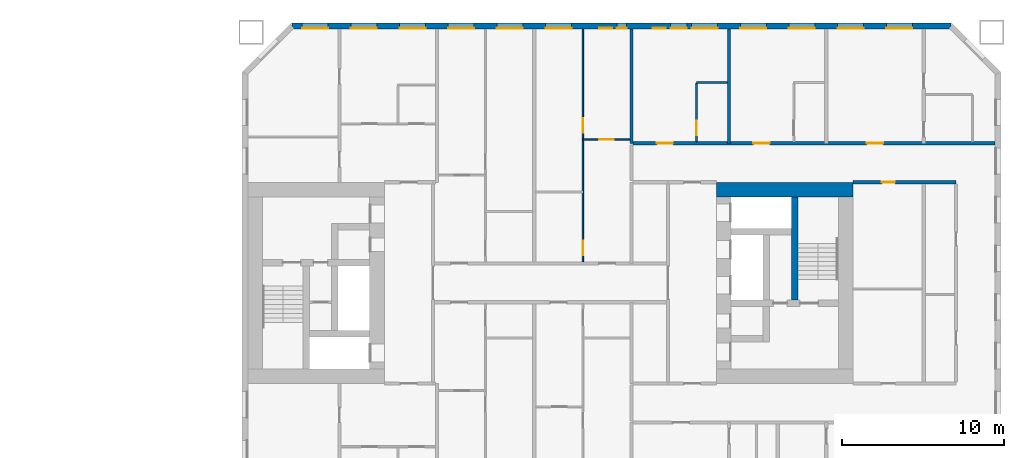
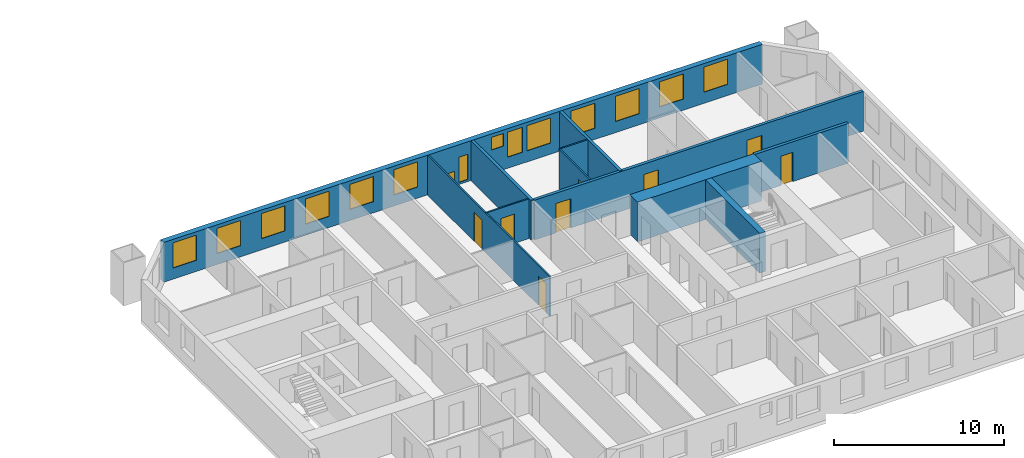
# One storey, part 13 of 16: 15 windows, 11 walls, 8 doors, 23 openings.
"""IFC4 building model written with IfcOpenShell, lengths in metres."""

from ifc_helpers import new_model, si_unit, direction, frame, frame_2d, origin, place, context, subcontext, project, spatial, rectangle, extrude, material, layer, layer_set, type_object, element, fill, save


model = new_model("IFC4")

# Units and contexts
model_context = context("Model", 3, precision=1e-05, world=origin(), true_north=direction((0.0, 1.0)))
body_context = subcontext(model_context, "Body", "Model", "MODEL_VIEW")
ifc_project = project(units=[si_unit("LENGTHUNIT", "METRE"), si_unit("AREAUNIT", "SQUARE_METRE"), si_unit("VOLUMEUNIT", "CUBIC_METRE"), si_unit("PLANEANGLEUNIT", "RADIAN"), si_unit("MASSUNIT", "GRAM", prefix="KILO")], contexts=[model_context])

# Site, building, storey
site_placement = place(None, origin())
site = spatial("IfcSite", under=ifc_project, at=site_placement, CompositionType="ELEMENT")
building_placement = place(site_placement, origin())
building = spatial("IfcBuilding", under=site, at=building_placement, Name="Tuart Gate Housing", CompositionType="ELEMENT")
storey_placement = place(building_placement, frame((0.0, 0.0, 35.0)))
storey = spatial("IfcBuildingStorey", under=building, at=storey_placement, Name="L09", CompositionType="ELEMENT", Elevation=35.0)

# Wall, openings, windows
ifc_material_1 = material(Name="Brick", Category="masonry")
ifc_layer_1 = layer(ifc_material_1, 0.360107421875)
ifc_layer_set_1 = layer_set([ifc_layer_1], Name="Brick pier and spandrel wall 360")
wall_type_1 = type_object("IfcWallType", Name="Brick pier and spandrel wall 360", PredefinedType="STANDARD", material=ifc_layer_set_1)
wall_1_placement = place(storey_placement, frame((174.67529296875, 85.820068359375, 0.0), z_axis=(0.0, 0.0, 1.0), x_axis=(-1.0, 0.0, 0.0)))
wall_1 = element("IfcWall", 1, at=wall_1_placement, inside=storey, type_object=wall_type_1, Name="External wall B-N L09", PredefinedType="STANDARD", context=body_context, shape_type="SweptSolid", body=[
    extrude(rectangle(XDim=40.600830078125, YDim=0.360107421875, at=frame_2d((20.30029296875, 0.0))), origin(), (0.0, 0.0, 1.0), 2.85009765625),
])
opening_1_placement = place(wall_1_placement, frame((2.37548828125, 0.0, 0.800048828125)))
opening_1 = element("IfcOpeningElement", 2, at=opening_1_placement, cuts=wall_1, Name="Opening W1", PredefinedType="OPENING", context=body_context, shape_type="SweptSolid", body=[
    extrude(rectangle(XDim=1.60009765625, YDim=1.800048828125, at=frame_2d((0.800048828125, 0.89990234375))), frame((0.0, 0.18994140625, 0.0), z_axis=(0.0, -1.0, 0.0), x_axis=(1.0, 0.0, 0.0)), (0.0, 0.0, 1.0), 0.380126953125),
])
opening_2_placement = place(wall_1_placement, frame((5.37548828125, 0.0, 0.800048828125)))
opening_2 = element("IfcOpeningElement", 3, at=opening_2_placement, cuts=wall_1, Name="Opening W1", PredefinedType="OPENING", context=body_context, shape_type="SweptSolid", body=[
    extrude(rectangle(XDim=1.60009765625, YDim=1.800048828125, at=frame_2d((0.800048828125, 0.89990234375))), frame((0.0, 0.18994140625, 0.0), z_axis=(0.0, -1.0, 0.0), x_axis=(1.0, 0.0, 0.0)), (0.0, 0.0, 1.0), 0.380126953125),
])
opening_3_placement = place(wall_1_placement, frame((8.37548828125, 0.0, 0.800048828125)))
opening_3 = element("IfcOpeningElement", 4, at=opening_3_placement, cuts=wall_1, Name="Opening W1", PredefinedType="OPENING", context=body_context, shape_type="SweptSolid", body=[
    extrude(rectangle(XDim=1.60009765625, YDim=1.800048828125, at=frame_2d((0.800048828125, 0.89990234375))), frame((0.0, 0.18994140625, 0.0), z_axis=(0.0, -1.0, 0.0), x_axis=(1.0, 0.0, 0.0)), (0.0, 0.0, 1.0), 0.380126953125),
])
opening_4_placement = place(wall_1_placement, frame((11.37548828125, 0.0, 0.800048828125)))
opening_4 = element("IfcOpeningElement", 5, at=opening_4_placement, cuts=wall_1, Name="Opening W1", PredefinedType="OPENING", context=body_context, shape_type="SweptSolid", body=[
    extrude(rectangle(XDim=1.60009765625, YDim=1.800048828125, at=frame_2d((0.800048828125, 0.89990234375))), frame((0.0, 0.18994140625, 0.0), z_axis=(0.0, -1.0, 0.0), x_axis=(1.0, 0.0, 0.0)), (0.0, 0.0, 1.0), 0.380126953125),
])
opening_5_placement = place(wall_1_placement, frame((14.37548828125, 0.0, 0.800048828125)))
opening_5 = element("IfcOpeningElement", 6, at=opening_5_placement, cuts=wall_1, Name="Opening W1", PredefinedType="OPENING", context=body_context, shape_type="SweptSolid", body=[
    extrude(rectangle(XDim=1.60009765625, YDim=1.800048828125, at=frame_2d((0.800048828125, 0.89990234375))), frame((0.0, 0.18994140625, 0.0), z_axis=(0.0, -1.0, 0.0), x_axis=(1.0, 0.0, 0.0)), (0.0, 0.0, 1.0), 0.380126953125),
])
opening_6_placement = place(wall_1_placement, frame((16.275390625, 0.0, 0.800048828125)))
opening_6 = element("IfcOpeningElement", 7, at=opening_6_placement, cuts=wall_1, Name="Opening W1C", PredefinedType="OPENING", context=body_context, shape_type="SweptSolid", body=[
    extrude(rectangle(XDim=1.0, YDim=1.800048828125, at=frame_2d((0.5, 0.89990234375))), frame((0.0, 0.18994140625, 0.0), z_axis=(0.0, -1.0, 0.0), x_axis=(1.0, 0.0, 0.0)), (0.0, 0.0, 1.0), 0.380126953125),
])
opening_7_placement = place(wall_1_placement, frame((19.975341796875, 0.0, 0.14990234375)))
opening_7 = element("IfcOpeningElement", 8, at=opening_7_placement, cuts=wall_1, Name="Opening W1E", PredefinedType="OPENING", context=body_context, shape_type="SweptSolid", body=[
    extrude(rectangle(XDim=0.60009765625, YDim=1.800048828125, at=frame_2d((0.300048828125, 0.89990234375))), frame((0.0, 0.18994140625, 0.0), z_axis=(0.0, -1.0, 0.0), x_axis=(1.0, 0.0, 0.0)), (0.0, 0.0, 1.0), 0.380126953125),
])
opening_8_placement = place(wall_1_placement, frame((23.37548828125, 0.0, 0.800048828125)))
opening_8 = element("IfcOpeningElement", 9, at=opening_8_placement, cuts=wall_1, Name="Opening W1", PredefinedType="OPENING", context=body_context, shape_type="SweptSolid", body=[
    extrude(rectangle(XDim=1.60009765625, YDim=1.800048828125, at=frame_2d((0.800048828125, 0.89990234375))), frame((0.0, 0.18994140625, 0.0), z_axis=(0.0, -1.0, 0.0), x_axis=(1.0, 0.0, 0.0)), (0.0, 0.0, 1.0), 0.380126953125),
])
opening_9_placement = place(wall_1_placement, frame((26.37548828125, 0.0, 0.800048828125)))
opening_9 = element("IfcOpeningElement", 10, at=opening_9_placement, cuts=wall_1, Name="Opening W1", PredefinedType="OPENING", context=body_context, shape_type="SweptSolid", body=[
    extrude(rectangle(XDim=1.60009765625, YDim=1.800048828125, at=frame_2d((0.800048828125, 0.89990234375))), frame((0.0, 0.18994140625, 0.0), z_axis=(0.0, -1.0, 0.0), x_axis=(1.0, 0.0, 0.0)), (0.0, 0.0, 1.0), 0.380126953125),
])
opening_10_placement = place(wall_1_placement, frame((29.37548828125, 0.0, 0.800048828125)))
opening_10 = element("IfcOpeningElement", 11, at=opening_10_placement, cuts=wall_1, Name="Opening W1", PredefinedType="OPENING", context=body_context, shape_type="SweptSolid", body=[
    extrude(rectangle(XDim=1.60009765625, YDim=1.800048828125, at=frame_2d((0.800048828125, 0.89990234375))), frame((0.0, 0.18994140625, 0.0), z_axis=(0.0, -1.0, 0.0), x_axis=(1.0, 0.0, 0.0)), (0.0, 0.0, 1.0), 0.380126953125),
])
opening_11_placement = place(wall_1_placement, frame((32.37548828125, 0.0, 0.800048828125)))
opening_11 = element("IfcOpeningElement", 12, at=opening_11_placement, cuts=wall_1, Name="Opening W1", PredefinedType="OPENING", context=body_context, shape_type="SweptSolid", body=[
    extrude(rectangle(XDim=1.60009765625, YDim=1.800048828125, at=frame_2d((0.800048828125, 0.89990234375))), frame((0.0, 0.18994140625, 0.0), z_axis=(0.0, -1.0, 0.0), x_axis=(1.0, 0.0, 0.0)), (0.0, 0.0, 1.0), 0.380126953125),
])
opening_12_placement = place(wall_1_placement, frame((35.37548828125, 0.0, 0.800048828125)))
opening_12 = element("IfcOpeningElement", 13, at=opening_12_placement, cuts=wall_1, Name="Opening W1", PredefinedType="OPENING", context=body_context, shape_type="SweptSolid", body=[
    extrude(rectangle(XDim=1.60009765625, YDim=1.800048828125, at=frame_2d((0.800048828125, 0.89990234375))), frame((0.0, 0.18994140625, 0.0), z_axis=(0.0, -1.0, 0.0), x_axis=(1.0, 0.0, 0.0)), (0.0, 0.0, 1.0), 0.380126953125),
])
opening_13_placement = place(wall_1_placement, frame((38.37548828125, 0.0, 0.800048828125)))
opening_13 = element("IfcOpeningElement", 14, at=opening_13_placement, cuts=wall_1, Name="Opening W1", PredefinedType="OPENING", context=body_context, shape_type="SweptSolid", body=[
    extrude(rectangle(XDim=1.60009765625, YDim=1.800048828125, at=frame_2d((0.800048828125, 0.89990234375))), frame((0.0, 0.18994140625, 0.0), z_axis=(0.0, -1.0, 0.0), x_axis=(1.0, 0.0, 0.0)), (0.0, 0.0, 1.0), 0.380126953125),
])
opening_14_placement = place(wall_1_placement, frame((17.575439453125, 0.0, 1.699951171875)))
opening_14 = element("IfcOpeningElement", 15, at=opening_14_placement, cuts=wall_1, Name="Opening W1V", PredefinedType="OPENING", context=body_context, shape_type="SweptSolid", body=[
    extrude(rectangle(XDim=0.800048828125, YDim=0.89990234375, at=frame_2d((0.39990234375, 0.449951171875))), frame((0.0, 0.18994140625, 0.0), z_axis=(0.0, -1.0, 0.0), x_axis=(1.0, 0.0, 0.0)), (0.0, 0.0, 1.0), 0.380126953125),
])
opening_15_placement = place(wall_1_placement, frame((20.87548828125, 0.0, 0.14990234375)))
opening_15 = element("IfcOpeningElement", 16, at=opening_15_placement, cuts=wall_1, Name="Opening W1V", PredefinedType="OPENING", context=body_context, shape_type="SweptSolid", body=[
    extrude(rectangle(XDim=0.800048828125, YDim=0.89990234375, at=frame_2d((0.39990234375, 0.449951171875))), frame((0.0, 0.18994140625, 0.0), z_axis=(0.0, -1.0, 0.0), x_axis=(1.0, 0.0, 0.0)), (0.0, 0.0, 1.0), 0.380126953125),
])
ifc_material_2 = material(Name="Aluminium frame with clear glass", Category="aluminium")
window_type_1 = type_object("IfcWindowType", Name="Punched window 1000 x 1800", PartitioningType="SINGLE_PANEL", PredefinedType="WINDOW", material=ifc_material_2)
window_1_placement = place(opening_6_placement, origin())
window_1 = element("IfcWindow", 17, at=window_1_placement, inside=storey, type_object=window_type_1, Name="Window W1C", OverallHeight=1.800048828125, OverallWidth=1.0, PartitioningType="SINGLE_PANEL", PredefinedType="WINDOW", context=body_context, shape_type="SweptSolid", body=[
    extrude(rectangle(XDim=1.0, YDim=1.800048828125, at=frame_2d((0.5, 0.89990234375))), frame((0.0, 0.150146484375, 0.0), z_axis=(0.0, -1.0, 0.0), x_axis=(1.0, 0.0, 0.0)), (0.0, 0.0, 1.0), 0.06005859375),
])
fill(opening_6, window_1)
ifc_material_3 = material(Name="Aluminium frame with clear glass", Category="aluminium")
window_type_2 = type_object("IfcWindowType", Name="Punched window 1600 x 1800", PartitioningType="SINGLE_PANEL", PredefinedType="WINDOW", material=ifc_material_3)
window_2_placement = place(opening_1_placement, origin())
window_2 = element("IfcWindow", 18, at=window_2_placement, inside=storey, type_object=window_type_2, Name="Window W1", OverallHeight=1.800048828125, OverallWidth=1.60009765625, PartitioningType="SINGLE_PANEL", PredefinedType="WINDOW", context=body_context, shape_type="SweptSolid", body=[
    extrude(rectangle(XDim=1.60009765625, YDim=1.800048828125, at=frame_2d((0.800048828125, 0.89990234375))), frame((0.0, 0.150146484375, 0.0), z_axis=(0.0, -1.0, 0.0), x_axis=(1.0, 0.0, 0.0)), (0.0, 0.0, 1.0), 0.06005859375),
])
fill(opening_1, window_2)
window_3_placement = place(opening_2_placement, origin())
window_3 = element("IfcWindow", 19, at=window_3_placement, inside=storey, type_object=window_type_2, Name="Window W1", OverallHeight=1.800048828125, OverallWidth=1.60009765625, PartitioningType="SINGLE_PANEL", PredefinedType="WINDOW", context=body_context, shape_type="SweptSolid", body=[
    extrude(rectangle(XDim=1.60009765625, YDim=1.800048828125, at=frame_2d((0.800048828125, 0.89990234375))), frame((0.0, 0.150146484375, 0.0), z_axis=(0.0, -1.0, 0.0), x_axis=(1.0, 0.0, 0.0)), (0.0, 0.0, 1.0), 0.06005859375),
])
fill(opening_2, window_3)
window_4_placement = place(opening_3_placement, origin())
window_4 = element("IfcWindow", 20, at=window_4_placement, inside=storey, type_object=window_type_2, Name="Window W1", OverallHeight=1.800048828125, OverallWidth=1.60009765625, PartitioningType="SINGLE_PANEL", PredefinedType="WINDOW", context=body_context, shape_type="SweptSolid", body=[
    extrude(rectangle(XDim=1.60009765625, YDim=1.800048828125, at=frame_2d((0.800048828125, 0.89990234375))), frame((0.0, 0.150146484375, 0.0), z_axis=(0.0, -1.0, 0.0), x_axis=(1.0, 0.0, 0.0)), (0.0, 0.0, 1.0), 0.06005859375),
])
fill(opening_3, window_4)
window_5_placement = place(opening_4_placement, origin())
window_5 = element("IfcWindow", 21, at=window_5_placement, inside=storey, type_object=window_type_2, Name="Window W1", OverallHeight=1.800048828125, OverallWidth=1.60009765625, PartitioningType="SINGLE_PANEL", PredefinedType="WINDOW", context=body_context, shape_type="SweptSolid", body=[
    extrude(rectangle(XDim=1.60009765625, YDim=1.800048828125, at=frame_2d((0.800048828125, 0.89990234375))), frame((0.0, 0.150146484375, 0.0), z_axis=(0.0, -1.0, 0.0), x_axis=(1.0, 0.0, 0.0)), (0.0, 0.0, 1.0), 0.06005859375),
])
fill(opening_4, window_5)
window_6_placement = place(opening_5_placement, origin())
window_6 = element("IfcWindow", 22, at=window_6_placement, inside=storey, type_object=window_type_2, Name="Window W1", OverallHeight=1.800048828125, OverallWidth=1.60009765625, PartitioningType="SINGLE_PANEL", PredefinedType="WINDOW", context=body_context, shape_type="SweptSolid", body=[
    extrude(rectangle(XDim=1.60009765625, YDim=1.800048828125, at=frame_2d((0.800048828125, 0.89990234375))), frame((0.0, 0.150146484375, 0.0), z_axis=(0.0, -1.0, 0.0), x_axis=(1.0, 0.0, 0.0)), (0.0, 0.0, 1.0), 0.06005859375),
])
fill(opening_5, window_6)
window_7_placement = place(opening_8_placement, origin())
window_7 = element("IfcWindow", 23, at=window_7_placement, inside=storey, type_object=window_type_2, Name="Window W1", OverallHeight=1.800048828125, OverallWidth=1.60009765625, PartitioningType="SINGLE_PANEL", PredefinedType="WINDOW", context=body_context, shape_type="SweptSolid", body=[
    extrude(rectangle(XDim=1.60009765625, YDim=1.800048828125, at=frame_2d((0.800048828125, 0.89990234375))), frame((0.0, 0.150146484375, 0.0), z_axis=(0.0, -1.0, 0.0), x_axis=(1.0, 0.0, 0.0)), (0.0, 0.0, 1.0), 0.06005859375),
])
fill(opening_8, window_7)
window_8_placement = place(opening_9_placement, origin())
window_8 = element("IfcWindow", 24, at=window_8_placement, inside=storey, type_object=window_type_2, Name="Window W1", OverallHeight=1.800048828125, OverallWidth=1.60009765625, PartitioningType="SINGLE_PANEL", PredefinedType="WINDOW", context=body_context, shape_type="SweptSolid", body=[
    extrude(rectangle(XDim=1.60009765625, YDim=1.800048828125, at=frame_2d((0.800048828125, 0.89990234375))), frame((0.0, 0.150146484375, 0.0), z_axis=(0.0, -1.0, 0.0), x_axis=(1.0, 0.0, 0.0)), (0.0, 0.0, 1.0), 0.06005859375),
])
fill(opening_9, window_8)
window_9_placement = place(opening_10_placement, origin())
window_9 = element("IfcWindow", 25, at=window_9_placement, inside=storey, type_object=window_type_2, Name="Window W1", OverallHeight=1.800048828125, OverallWidth=1.60009765625, PartitioningType="SINGLE_PANEL", PredefinedType="WINDOW", context=body_context, shape_type="SweptSolid", body=[
    extrude(rectangle(XDim=1.60009765625, YDim=1.800048828125, at=frame_2d((0.800048828125, 0.89990234375))), frame((0.0, 0.150146484375, 0.0), z_axis=(0.0, -1.0, 0.0), x_axis=(1.0, 0.0, 0.0)), (0.0, 0.0, 1.0), 0.06005859375),
])
fill(opening_10, window_9)
window_10_placement = place(opening_11_placement, origin())
window_10 = element("IfcWindow", 26, at=window_10_placement, inside=storey, type_object=window_type_2, Name="Window W1", OverallHeight=1.800048828125, OverallWidth=1.60009765625, PartitioningType="SINGLE_PANEL", PredefinedType="WINDOW", context=body_context, shape_type="SweptSolid", body=[
    extrude(rectangle(XDim=1.60009765625, YDim=1.800048828125, at=frame_2d((0.800048828125, 0.89990234375))), frame((0.0, 0.150146484375, 0.0), z_axis=(0.0, -1.0, 0.0), x_axis=(1.0, 0.0, 0.0)), (0.0, 0.0, 1.0), 0.06005859375),
])
fill(opening_11, window_10)
window_11_placement = place(opening_12_placement, origin())
window_11 = element("IfcWindow", 27, at=window_11_placement, inside=storey, type_object=window_type_2, Name="Window W1", OverallHeight=1.800048828125, OverallWidth=1.60009765625, PartitioningType="SINGLE_PANEL", PredefinedType="WINDOW", context=body_context, shape_type="SweptSolid", body=[
    extrude(rectangle(XDim=1.60009765625, YDim=1.800048828125, at=frame_2d((0.800048828125, 0.89990234375))), frame((0.0, 0.150146484375, 0.0), z_axis=(0.0, -1.0, 0.0), x_axis=(1.0, 0.0, 0.0)), (0.0, 0.0, 1.0), 0.06005859375),
])
fill(opening_12, window_11)
window_12_placement = place(opening_13_placement, origin())
window_12 = element("IfcWindow", 28, at=window_12_placement, inside=storey, type_object=window_type_2, Name="Window W1", OverallHeight=1.800048828125, OverallWidth=1.60009765625, PartitioningType="SINGLE_PANEL", PredefinedType="WINDOW", context=body_context, shape_type="SweptSolid", body=[
    extrude(rectangle(XDim=1.60009765625, YDim=1.800048828125, at=frame_2d((0.800048828125, 0.89990234375))), frame((0.0, 0.150146484375, 0.0), z_axis=(0.0, -1.0, 0.0), x_axis=(1.0, 0.0, 0.0)), (0.0, 0.0, 1.0), 0.06005859375),
])
fill(opening_13, window_12)
ifc_material_4 = material(Name="Aluminium frame with clear glass", Category="aluminium")
window_type_3 = type_object("IfcWindowType", Name="Punched window 600 x 1800", PartitioningType="SINGLE_PANEL", PredefinedType="WINDOW", material=ifc_material_4)
window_13_placement = place(opening_7_placement, origin())
window_13 = element("IfcWindow", 29, at=window_13_placement, inside=storey, type_object=window_type_3, Name="Window W1E", OverallHeight=1.800048828125, OverallWidth=0.60009765625, PartitioningType="SINGLE_PANEL", PredefinedType="WINDOW", context=body_context, shape_type="SweptSolid", body=[
    extrude(rectangle(XDim=0.60009765625, YDim=1.800048828125, at=frame_2d((0.300048828125, 0.89990234375))), frame((0.0, 0.150146484375, 0.0), z_axis=(0.0, -1.0, 0.0), x_axis=(1.0, 0.0, 0.0)), (0.0, 0.0, 1.0), 0.06005859375),
])
fill(opening_7, window_13)
ifc_material_5 = material(Name="Aluminium frame with clear glass", Category="aluminium")
window_type_4 = type_object("IfcWindowType", Name="Punched window 800 x 900", PartitioningType="SINGLE_PANEL", PredefinedType="WINDOW", material=ifc_material_5)
window_14_placement = place(opening_14_placement, origin())
window_14 = element("IfcWindow", 30, at=window_14_placement, inside=storey, type_object=window_type_4, Name="Window W1V", OverallHeight=0.89990234375, OverallWidth=0.800048828125, PartitioningType="SINGLE_PANEL", PredefinedType="WINDOW", context=body_context, shape_type="SweptSolid", body=[
    extrude(rectangle(XDim=0.800048828125, YDim=0.89990234375, at=frame_2d((0.39990234375, 0.449951171875))), frame((0.0, 0.150146484375, 0.0), z_axis=(0.0, -1.0, 0.0), x_axis=(1.0, 0.0, 0.0)), (0.0, 0.0, 1.0), 0.06005859375),
])
fill(opening_14, window_14)
window_15_placement = place(opening_15_placement, origin())
window_15 = element("IfcWindow", 31, at=window_15_placement, inside=storey, type_object=window_type_4, Name="Window W1V", OverallHeight=0.89990234375, OverallWidth=0.800048828125, PartitioningType="SINGLE_PANEL", PredefinedType="WINDOW", context=body_context, shape_type="SweptSolid", body=[
    extrude(rectangle(XDim=0.800048828125, YDim=0.89990234375, at=frame_2d((0.39990234375, 0.449951171875))), frame((0.0, 0.150146484375, 0.0), z_axis=(0.0, -1.0, 0.0), x_axis=(1.0, 0.0, 0.0)), (0.0, 0.0, 1.0), 0.06005859375),
])
fill(opening_15, window_15)

# Walls
ifc_material_6 = material(Name="Concrete C60", Category="concrete")
ifc_layer_2 = layer(ifc_material_6, 0.39990234375)
ifc_layer_set_2 = layer_set([ifc_layer_2], Name="Core wall 400 C60")
wall_type_2 = type_object("IfcWallType", Name="Core wall 400 C60", PredefinedType="SHEAR", material=ifc_layer_set_2)
wall_2_placement = place(storey_placement, frame((165.0400390625, 75.300048828125, 0.0), z_axis=(0.0, 0.0, 1.0), x_axis=(0.0, -1.0, 0.0)))
element("IfcWall", 32, at=wall_2_placement, inside=storey, type_object=wall_type_2, Name="Core wall BK.6", PredefinedType="SHEAR", context=body_context, shape_type="SweptSolid", body=[
    extrude(rectangle(XDim=6.35009765625, YDim=0.39990234375, at=frame_2d((3.175048828125, 0.0))), origin(), (0.0, 0.0, 1.0), 2.85009765625),
])
ifc_material_7 = material(Name="Concrete C60", Category="concrete")
ifc_layer_3 = layer(ifc_material_7, 0.89990234375)
ifc_layer_set_3 = layer_set([ifc_layer_3], Name="Core wall 900 C60")
wall_type_3 = type_object("IfcWallType", Name="Core wall 900 C60", PredefinedType="SHEAR", material=ifc_layer_set_3)
wall_3_placement = place(storey_placement, frame((160.239990234375, 75.75, 0.0), z_axis=(0.0, 0.0, 1.0), x_axis=(1.0, 0.0, 0.0)))
element("IfcWall", 33, at=wall_3_placement, inside=storey, type_object=wall_type_3, Name="Core wall BK south", PredefinedType="SHEAR", context=body_context, shape_type="SweptSolid", body=[
    extrude(rectangle(XDim=8.39990234375, YDim=0.89990234375, at=frame_2d((4.199951171875, 0.0))), origin(), (0.0, 0.0, 1.0), 2.85009765625),
])

# Wall, opening, door
ifc_material_8 = material(Name="Concrete masonry 15 MPa", Category="masonry")
ifc_layer_4 = layer(ifc_material_8, 0.199951171875)
ifc_layer_set_4 = layer_set([ifc_layer_4], Name="Corridor wall masonry 200")
wall_type_4 = type_object("IfcWallType", Name="Corridor wall masonry 200", PredefinedType="PARTITIONING", material=ifc_layer_set_4)
wall_4_placement = place(storey_placement, frame((168.639892578125, 76.199951171875, 0.0), z_axis=(0.0, 0.0, 1.0), x_axis=(1.0, 0.0, 0.0)))
wall_4 = element("IfcWall", 34, at=wall_4_placement, inside=storey, type_object=wall_type_4, Name="Corridor wall masonry 200", PredefinedType="PARTITIONING", context=body_context, shape_type="SweptSolid", body=[
    extrude(rectangle(XDim=6.35009765625, YDim=0.199951171875, at=frame_2d((3.175048828125, 0.0))), origin(), (0.0, 0.0, 1.0), 2.85009765625),
])
opening_16_placement = place(wall_4_placement, frame((1.780029296875, 0.0, 0.0)))
opening_16 = element("IfcOpeningElement", 35, at=opening_16_placement, cuts=wall_4, Name="Opening D551", PredefinedType="OPENING", context=body_context, shape_type="SweptSolid", body=[
    extrude(rectangle(XDim=0.800048828125, YDim=2.10009765625, at=frame_2d((0.39990234375, 1.050048828125))), frame((0.0, 0.10986328125, 0.0), z_axis=(0.0, -1.0, 0.0), x_axis=(1.0, 0.0, 0.0)), (0.0, 0.0, 1.0), 0.219970703125),
])
ifc_material_9 = material(Name="Timber door leaf in steel frame", Category="steel")
door_type_1 = type_object("IfcDoorType", Name="Store door 800 RH", OperationType="SINGLE_SWING_RIGHT", PredefinedType="DOOR", material=ifc_material_9)
door_1_placement = place(opening_16_placement, frame((0.800048828125, 0.0, 0.0), z_axis=(0.0, 0.0, 1.0), x_axis=(-1.0, 0.0, 0.0)))
door_1 = element("IfcDoor", 36, at=door_1_placement, inside=storey, type_object=door_type_1, Name="Store door", OperationType="SINGLE_SWING_RIGHT", OverallHeight=2.10009765625, OverallWidth=0.800048828125, PredefinedType="DOOR", context=body_context, shape_type="SweptSolid", body=[
    extrude(rectangle(XDim=0.800048828125, YDim=2.10009765625, at=frame_2d((0.400146484375, 1.050048828125))), frame((0.0, 0.025146484375, 0.0), z_axis=(0.0, -1.0, 0.0), x_axis=(1.0, 0.0, 0.0)), (0.0, 0.0, 1.0), 0.050048828125),
])
fill(opening_16, door_1)

# Wall, openings, doors
wall_5_placement = place(storey_placement, frame((155.10009765625, 78.60009765625, 0.0), z_axis=(0.0, 0.0, 1.0), x_axis=(1.0, 0.0, 0.0)))
wall_5 = element("IfcWall", 37, at=wall_5_placement, inside=storey, type_object=wall_type_4, Name="Corridor wall masonry 200", PredefinedType="PARTITIONING", context=body_context, shape_type="SweptSolid", body=[
    extrude(rectangle(XDim=22.289794921875, YDim=0.199951171875, at=frame_2d((11.14501953125, 0.0))), origin(), (0.0, 0.0, 1.0), 2.85009765625),
])
opening_17_placement = place(wall_5_placement, frame((1.449951171875, 0.0, 0.0)))
opening_17 = element("IfcOpeningElement", 38, at=opening_17_placement, cuts=wall_5, Name="Opening D541", PredefinedType="OPENING", context=body_context, shape_type="SweptSolid", body=[
    extrude(rectangle(XDim=1.0, YDim=2.10009765625, at=frame_2d((0.5, 1.050048828125))), frame((0.0, 0.10986328125, 0.0), z_axis=(0.0, -1.0, 0.0), x_axis=(1.0, 0.0, 0.0)), (0.0, 0.0, 1.0), 0.219970703125),
])
opening_18_placement = place(wall_5_placement, frame((7.39990234375, 0.0, 0.0)))
opening_18 = element("IfcOpeningElement", 39, at=opening_18_placement, cuts=wall_5, Name="Opening D542", PredefinedType="OPENING", context=body_context, shape_type="SweptSolid", body=[
    extrude(rectangle(XDim=1.0, YDim=2.10009765625, at=frame_2d((0.5, 1.050048828125))), frame((0.0, 0.10986328125, 0.0), z_axis=(0.0, -1.0, 0.0), x_axis=(1.0, 0.0, 0.0)), (0.0, 0.0, 1.0), 0.219970703125),
])
opening_19_placement = place(wall_5_placement, frame((14.39990234375, 0.0, 0.0)))
opening_19 = element("IfcOpeningElement", 40, at=opening_19_placement, cuts=wall_5, Name="Opening D543", PredefinedType="OPENING", context=body_context, shape_type="SweptSolid", body=[
    extrude(rectangle(XDim=1.0, YDim=2.10009765625, at=frame_2d((0.5, 1.050048828125))), frame((0.0, 0.10986328125, 0.0), z_axis=(0.0, -1.0, 0.0), x_axis=(1.0, 0.0, 0.0)), (0.0, 0.0, 1.0), 0.219970703125),
])
ifc_material_10 = material(Name="Timber door leaf in steel frame", Category="steel")
door_type_2 = type_object("IfcDoorType", Name="Flat entrance door 1000", OperationType="SINGLE_SWING_LEFT", PredefinedType="DOOR", material=ifc_material_10)
door_2_placement = place(opening_18_placement, origin())
door_2 = element("IfcDoor", 41, at=door_2_placement, inside=storey, type_object=door_type_2, Name="Flat entrance door", OperationType="SINGLE_SWING_LEFT", OverallHeight=2.10009765625, OverallWidth=1.0, PredefinedType="DOOR", context=body_context, shape_type="SweptSolid", body=[
    extrude(rectangle(XDim=1.0, YDim=2.10009765625, at=frame_2d((0.5, 1.050048828125))), frame((0.0, 0.02490234375, 0.0), z_axis=(0.0, -1.0, 0.0), x_axis=(1.0, 0.0, 0.0)), (0.0, 0.0, 1.0), 0.050048828125),
])
fill(opening_18, door_2)
door_3_placement = place(opening_19_placement, origin())
door_3 = element("IfcDoor", 42, at=door_3_placement, inside=storey, type_object=door_type_2, Name="Flat entrance door", OperationType="SINGLE_SWING_LEFT", OverallHeight=2.10009765625, OverallWidth=1.0, PredefinedType="DOOR", context=body_context, shape_type="SweptSolid", body=[
    extrude(rectangle(XDim=1.0, YDim=2.10009765625, at=frame_2d((0.5, 1.050048828125))), frame((0.0, 0.02490234375, 0.0), z_axis=(0.0, -1.0, 0.0), x_axis=(1.0, 0.0, 0.0)), (0.0, 0.0, 1.0), 0.050048828125),
])
fill(opening_19, door_3)
ifc_material_11 = material(Name="Timber door leaf in steel frame", Category="steel")
door_type_3 = type_object("IfcDoorType", Name="Flat entrance door 1000 RH", OperationType="SINGLE_SWING_RIGHT", PredefinedType="DOOR", material=ifc_material_11)
door_4_placement = place(opening_17_placement, origin())
door_4 = element("IfcDoor", 43, at=door_4_placement, inside=storey, type_object=door_type_3, Name="Flat entrance door", OperationType="SINGLE_SWING_RIGHT", OverallHeight=2.10009765625, OverallWidth=1.0, PredefinedType="DOOR", context=body_context, shape_type="SweptSolid", body=[
    extrude(rectangle(XDim=1.0, YDim=2.10009765625, at=frame_2d((0.5, 1.050048828125))), frame((0.0, 0.02490234375, 0.0), z_axis=(0.0, -1.0, 0.0), x_axis=(1.0, 0.0, 0.0)), (0.0, 0.0, 1.0), 0.050048828125),
])
fill(opening_17, door_4)

# Wall, opening, door
ifc_material_12 = material(Name="Gypsum board on steel studs", Category="steel")
ifc_layer_5 = layer(ifc_material_12, 0.10009765625)
ifc_layer_set_5 = layer_set([ifc_layer_5], Name="Partition 100")
wall_type_5 = type_object("IfcWallType", Name="Partition 100", PredefinedType="PARTITIONING", material=ifc_layer_set_5)
wall_6_placement = place(storey_placement, frame((152.0, 78.840087890625, 0.0), z_axis=(0.0, 0.0, 1.0), x_axis=(1.0, 0.0, 0.0)))
wall_6 = element("IfcWall", 44, at=wall_6_placement, inside=storey, type_object=wall_type_5, Name="Partition 100", PredefinedType="PARTITIONING", context=body_context, shape_type="SweptSolid", body=[
    extrude(rectangle(XDim=2.89990234375, YDim=0.10009765625, at=frame_2d((1.449951171875, 0.0))), origin(), (0.0, 0.0, 1.0), 2.85009765625),
])
opening_20_placement = place(wall_6_placement, frame((1.0, 0.0, 0.0)))
opening_20 = element("IfcOpeningElement", 45, at=opening_20_placement, cuts=wall_6, Name="Opening D540", PredefinedType="OPENING", context=body_context, shape_type="SweptSolid", body=[
    extrude(rectangle(XDim=0.89990234375, YDim=2.10009765625, at=frame_2d((0.449951171875, 1.050048828125))), frame((0.0, 0.06005859375, 0.0), z_axis=(0.0, -1.0, 0.0), x_axis=(1.0, 0.0, 0.0)), (0.0, 0.0, 1.0), 0.1201171875),
])
ifc_material_13 = material(Name="Timber door leaf in steel frame", Category="steel")
door_type_4 = type_object("IfcDoorType", Name="Internal door 900 RH", OperationType="SINGLE_SWING_RIGHT", PredefinedType="DOOR", material=ifc_material_13)
door_5_placement = place(opening_20_placement, frame((0.89990234375, 0.0, 0.0), z_axis=(0.0, 0.0, 1.0), x_axis=(-1.0, 0.0, 0.0)))
door_5 = element("IfcDoor", 46, at=door_5_placement, inside=storey, type_object=door_type_4, Name="Internal door", OperationType="SINGLE_SWING_RIGHT", OverallHeight=2.10009765625, OverallWidth=0.89990234375, PredefinedType="DOOR", context=body_context, shape_type="SweptSolid", body=[
    extrude(rectangle(XDim=0.89990234375, YDim=2.10009765625, at=frame_2d((0.449951171875, 1.050048828125))), frame((0.0, 0.025146484375, 0.0), z_axis=(0.0, -1.0, 0.0), x_axis=(1.0, 0.0, 0.0)), (0.0, 0.0, 1.0), 0.050048828125),
])
fill(opening_20, door_5)

# Wall
wall_7_placement = place(storey_placement, frame((159.0, 82.35009765625, 0.0), z_axis=(0.0, 0.0, 1.0), x_axis=(1.0, 0.0, 0.0)))
element("IfcWall", 47, at=wall_7_placement, inside=storey, type_object=wall_type_5, Name="Partition 100", PredefinedType="PARTITIONING", context=body_context, shape_type="SweptSolid", body=[
    extrude(rectangle(XDim=1.89990234375, YDim=0.10009765625, at=frame_2d((0.949951171875, 0.0))), origin(), (0.0, 0.0, 1.0), 2.85009765625),
])

# Wall, openings, doors
wall_8_placement = place(storey_placement, frame((152.0, 71.300048828125, 0.0), z_axis=(0.0, 0.0, 1.0), x_axis=(0.0, 1.0, 0.0)))
wall_8 = element("IfcWall", 48, at=wall_8_placement, inside=storey, type_object=wall_type_5, Name="Partition 100", PredefinedType="PARTITIONING", context=body_context, shape_type="SweptSolid", body=[
    extrude(rectangle(XDim=14.33984375, YDim=0.10009765625, at=frame_2d((7.169921875, 0.0))), origin(), (0.0, 0.0, 1.0), 2.85009765625),
])
opening_21_placement = place(wall_8_placement, frame((7.93994140625, 0.0, 0.0)))
opening_21 = element("IfcOpeningElement", 49, at=opening_21_placement, cuts=wall_8, Name="Opening D547", PredefinedType="OPENING", context=body_context, shape_type="SweptSolid", body=[
    extrude(rectangle(XDim=0.89990234375, YDim=2.10009765625, at=frame_2d((0.449951171875, 1.050048828125))), frame((0.0, 0.06005859375, 0.0), z_axis=(0.0, -1.0, 0.0), x_axis=(1.0, 0.0, 0.0)), (0.0, 0.0, 1.0), 0.1201171875),
])
opening_22_placement = place(wall_8_placement, frame((0.39990234375, 0.0, 0.0)))
opening_22 = element("IfcOpeningElement", 50, at=opening_22_placement, cuts=wall_8, Name="Opening D546", PredefinedType="OPENING", context=body_context, shape_type="SweptSolid", body=[
    extrude(rectangle(XDim=0.89990234375, YDim=2.10009765625, at=frame_2d((0.449951171875, 1.050048828125))), frame((0.0, 0.06005859375, 0.0), z_axis=(0.0, -1.0, 0.0), x_axis=(1.0, 0.0, 0.0)), (0.0, 0.0, 1.0), 0.1201171875),
])
ifc_material_14 = material(Name="Timber door leaf in steel frame", Category="steel")
door_type_5 = type_object("IfcDoorType", Name="Bathroom door 900", OperationType="SINGLE_SWING_LEFT", PredefinedType="DOOR", material=ifc_material_14)
door_6_placement = place(opening_22_placement, origin())
door_6 = element("IfcDoor", 51, at=door_6_placement, inside=storey, type_object=door_type_5, Name="Bathroom door", OperationType="SINGLE_SWING_LEFT", OverallHeight=2.10009765625, OverallWidth=0.89990234375, PredefinedType="DOOR", context=body_context, shape_type="SweptSolid", body=[
    extrude(rectangle(XDim=0.89990234375, YDim=2.10009765625, at=frame_2d((0.449951171875, 1.050048828125))), frame((0.0, 0.02490234375, 0.0), z_axis=(0.0, -1.0, 0.0), x_axis=(1.0, 0.0, 0.0)), (0.0, 0.0, 1.0), 0.050048828125),
])
fill(opening_22, door_6)
ifc_material_15 = material(Name="Timber door leaf in steel frame", Category="steel")
door_type_6 = type_object("IfcDoorType", Name="Internal door 900", OperationType="SINGLE_SWING_LEFT", PredefinedType="DOOR", material=ifc_material_15)
door_7_placement = place(opening_21_placement, origin())
door_7 = element("IfcDoor", 52, at=door_7_placement, inside=storey, type_object=door_type_6, Name="Internal door", OperationType="SINGLE_SWING_LEFT", OverallHeight=2.10009765625, OverallWidth=0.89990234375, PredefinedType="DOOR", context=body_context, shape_type="SweptSolid", body=[
    extrude(rectangle(XDim=0.89990234375, YDim=2.10009765625, at=frame_2d((0.449951171875, 1.050048828125))), frame((0.0, 0.02490234375, 0.0), z_axis=(0.0, -1.0, 0.0), x_axis=(1.0, 0.0, 0.0)), (0.0, 0.0, 1.0), 0.050048828125),
])
fill(opening_21, door_7)

# Wall, opening, door
wall_9_placement = place(storey_placement, frame((159.0, 78.699951171875, 0.0), z_axis=(0.0, 0.0, 1.0), x_axis=(0.0, 1.0, 0.0)))
wall_9 = element("IfcWall", 53, at=wall_9_placement, inside=storey, type_object=wall_type_5, Name="Partition 100", PredefinedType="PARTITIONING", context=body_context, shape_type="SweptSolid", body=[
    extrude(rectangle(XDim=3.60009765625, YDim=0.10009765625, at=frame_2d((1.800048828125, 0.0))), origin(), (0.0, 0.0, 1.0), 2.85009765625),
])
opening_23_placement = place(wall_9_placement, frame((0.39990234375, 0.0, 0.0)))
opening_23 = element("IfcOpeningElement", 54, at=opening_23_placement, cuts=wall_9, Name="Opening D536", PredefinedType="OPENING", context=body_context, shape_type="SweptSolid", body=[
    extrude(rectangle(XDim=0.89990234375, YDim=2.10009765625, at=frame_2d((0.449951171875, 1.050048828125))), frame((0.0, 0.06005859375, 0.0), z_axis=(0.0, -1.0, 0.0), x_axis=(1.0, 0.0, 0.0)), (0.0, 0.0, 1.0), 0.1201171875),
])
ifc_material_16 = material(Name="Timber door leaf in steel frame", Category="steel")
door_type_7 = type_object("IfcDoorType", Name="Bathroom door 900 RH", OperationType="SINGLE_SWING_RIGHT", PredefinedType="DOOR", material=ifc_material_16)
door_8_placement = place(opening_23_placement, frame((0.89990234375, 0.0, 0.0), z_axis=(0.0, 0.0, 1.0), x_axis=(-1.0, 0.0, 0.0)))
door_8 = element("IfcDoor", 55, at=door_8_placement, inside=storey, type_object=door_type_7, Name="Bathroom door", OperationType="SINGLE_SWING_RIGHT", OverallHeight=2.10009765625, OverallWidth=0.89990234375, PredefinedType="DOOR", context=body_context, shape_type="SweptSolid", body=[
    extrude(rectangle(XDim=0.89990234375, YDim=2.10009765625, at=frame_2d((0.449951171875, 1.050048828125))), frame((0.0, 0.025146484375, 0.0), z_axis=(0.0, -1.0, 0.0), x_axis=(1.0, 0.0, 0.0)), (0.0, 0.0, 1.0), 0.050048828125),
])
fill(opening_23, door_8)

# Walls
ifc_material_17 = material(Name="Concrete C40", Category="concrete")
ifc_layer_6 = layer(ifc_material_17, 0.199951171875)
ifc_layer_set_6 = layer_set([ifc_layer_6], Name="Party wall concrete C40 200")
wall_type_6 = type_object("IfcWallType", Name="Party wall concrete C40 200", PredefinedType="SOLIDWALL", material=ifc_layer_set_6)
for number, where, z_axis, x_axis, name in (
    (56, (155.0, 78.60009765625, 0.0), (0.0, 0.0, 1.0), (0.0, 1.0, 0.0), "Party wall concrete C40 200"),
    (57, (161.0, 78.60009765625, 0.0), (0.0, 0.0, 1.0), (0.0, 1.0, 0.0), "Party wall concrete C40 200"),
):
    element("IfcWall", number, at=place(storey_placement, frame(where, z_axis=z_axis, x_axis=x_axis)), inside=storey, type_object=wall_type_6, Name=name, PredefinedType="SOLIDWALL", context=body_context, shape_type="SweptSolid", body=[
        extrude(rectangle(XDim=7.039794921875, YDim=0.199951171875, at=frame_2d((3.52001953125, 0.0))), origin(), (0.0, 0.0, 1.0), 2.85009765625),
    ])

save(model, "model.ifc")
